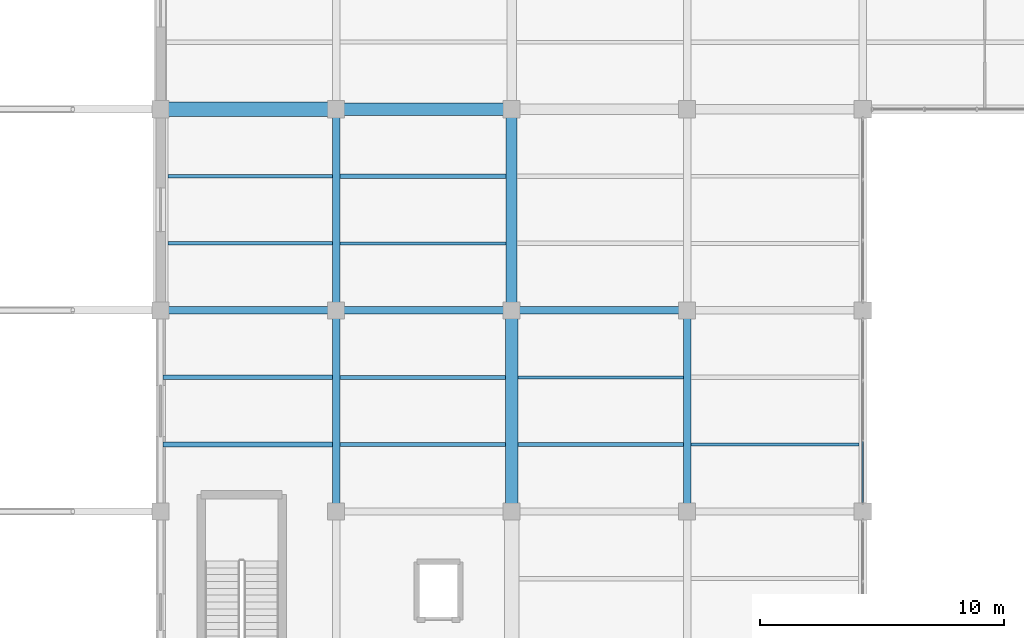
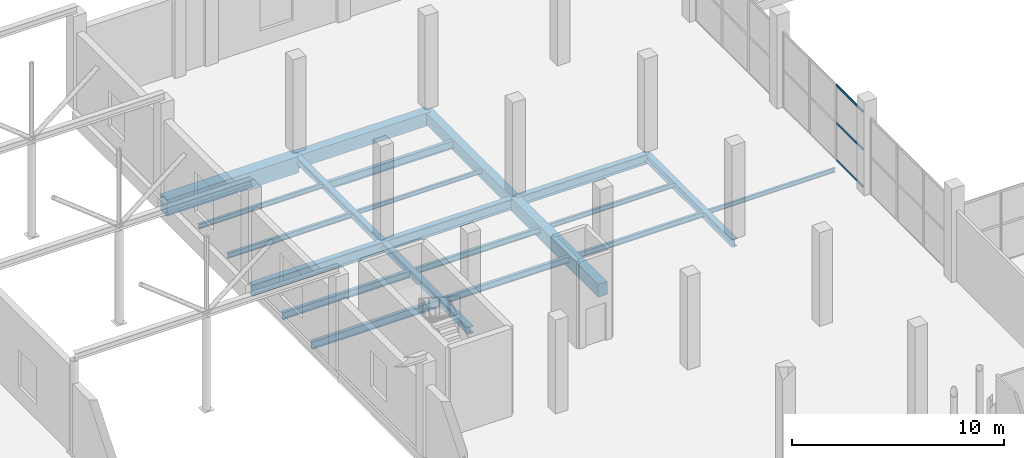
# One storey, part 71 of 147: 21 beams, 3 members, 1 element without a shape of its own.
"""IFC4 building model written with IfcOpenShell, lengths in metres."""

from ifc_helpers import new_model, si_unit, direction, frame, origin, origin_2d, place, context, subcontext, project, spatial, rectangle, hollow_rectangle, i_section, extrude, material, layer, layer_set, material_profile, profile_set, type_object, element, aggregate, save


model = new_model("IFC4")

# Units and contexts
model_context = context("Model", 3, precision=1e-05, world=origin(), true_north=direction((0.0, 1.0)))
body_context = subcontext(model_context, "Body", "Model", "MODEL_VIEW")
ifc_project = project(units=[si_unit("LENGTHUNIT", "METRE"), si_unit("AREAUNIT", "SQUARE_METRE"), si_unit("VOLUMEUNIT", "CUBIC_METRE"), si_unit("PLANEANGLEUNIT", "RADIAN"), si_unit("MASSUNIT", "GRAM", prefix="KILO")], contexts=[model_context])

# Site, building, storey
site_placement = place(None, origin())
site = spatial("IfcSite", under=ifc_project, at=site_placement, CompositionType="ELEMENT")
building_placement = place(site_placement, origin())
building = spatial("IfcBuilding", under=site, at=building_placement, Name="Sundgate Opera House", CompositionType="ELEMENT")
storey_placement = place(building_placement, frame((0.0, 0.0, 6.0)))
storey = spatial("IfcBuildingStorey", under=building, at=storey_placement, Name="L01", CompositionType="ELEMENT", Elevation=6.0)

# Beams
ifc_material_1 = material(Name="Steel S355J2", Category="steel")
ifc_material_profile_1 = material_profile(ifc_material_1, i_section(OverallWidth=0.300048828125, OverallDepth=0.43994140625, WebThickness=0.011474609375, FlangeThickness=0.02099609375, at=origin_2d()), Name="HEA 450")
ifc_profile_set_1 = profile_set([ifc_material_profile_1], Name="Steel S355J2")
beam_type_1 = type_object("IfcBeamType", Name="BM-GR-HEA450", PredefinedType="BEAM", material=ifc_profile_set_1)
beam_1_placement = place(storey_placement, frame((117.0, 95.25, -0.52001953125), z_axis=(0.0, 1.0, 0.0), x_axis=(-1.0, 0.0, 0.0)))
element("IfcBeam", 1, at=beam_1_placement, inside=storey, type_object=beam_type_1, Name="L01 Primary N-S Girder B1192", PredefinedType="BEAM", context=body_context, shape_type="SweptSolid", body=[
    extrude(i_section(OverallWidth=0.300048828125, OverallDepth=0.43994140625, WebThickness=0.011474609375, FlangeThickness=0.02099609375, at=origin_2d()), origin(), (0.0, 0.0, 1.0), 8.25),
])
ifc_material_2 = material(Name="Steel S355J2", Category="steel")
ifc_material_profile_2 = material_profile(ifc_material_2, i_section(OverallWidth=0.300048828125, OverallDepth=0.360107421875, WebThickness=0.012451171875, FlangeThickness=0.0224609375, at=origin_2d()), Name="HEB 360")
ifc_profile_set_2 = profile_set([ifc_material_profile_2], Name="Steel S355J2")
beam_type_2 = type_object("IfcBeamType", Name="BM-GR-HEB360", PredefinedType="BEAM", material=ifc_profile_set_2)
beam_2_placement = place(storey_placement, frame((102.60009765625, 103.5, -0.47998046875), z_axis=(0.0, 1.0, 0.0), x_axis=(-1.0, 0.0, 0.0)))
element("IfcBeam", 2, at=beam_2_placement, inside=storey, type_object=beam_type_2, Name="L01 Primary N-S Girder B1167", PredefinedType="BEAM", context=body_context, shape_type="SweptSolid", body=[
    extrude(i_section(OverallWidth=0.300048828125, OverallDepth=0.360107421875, WebThickness=0.012451171875, FlangeThickness=0.0224609375, at=origin_2d()), origin(), (0.0, 0.0, 1.0), 8.25),
])
ifc_material_3 = material(Name="Steel S355J2", Category="steel")
ifc_material_profile_3 = material_profile(ifc_material_3, i_section(OverallWidth=0.300048828125, OverallDepth=0.39990234375, WebThickness=0.013427734375, FlangeThickness=0.02392578125, at=origin_2d()), Name="HEB 400")
ifc_profile_set_3 = profile_set([ifc_material_profile_3], Name="Steel S355J2")
beam_type_3 = type_object("IfcBeamType", Name="BM-GR-HEB400", PredefinedType="BEAM", material=ifc_profile_set_3)
beam_3_placement = place(storey_placement, frame((102.60009765625, 95.25, -0.5), z_axis=(0.0, 1.0, 0.0), x_axis=(-1.0, 0.0, 0.0)))
element("IfcBeam", 3, at=beam_3_placement, inside=storey, type_object=beam_type_3, Name="L01 Primary N-S Girder B1166", PredefinedType="BEAM", context=body_context, shape_type="SweptSolid", body=[
    extrude(i_section(OverallWidth=0.300048828125, OverallDepth=0.39990234375, WebThickness=0.013427734375, FlangeThickness=0.02392578125, at=origin_2d()), origin(), (0.0, 0.0, 1.0), 8.25),
])
ifc_material_4 = material(Name="Steel S355J2", Category="steel")
ifc_material_profile_4 = material_profile(ifc_material_4, i_section(OverallWidth=0.300048828125, OverallDepth=0.550048828125, WebThickness=0.014892578125, FlangeThickness=0.029052734375, at=origin_2d()), Name="HEB 550")
ifc_profile_set_4 = profile_set([ifc_material_profile_4], Name="Steel S355J2")
beam_type_4 = type_object("IfcBeamType", Name="BM-GR-HEB550", PredefinedType="BEAM", material=ifc_profile_set_4)
beam_4_placement = place(storey_placement, frame((109.800048828125, 103.5, -0.574951171875), z_axis=(1.0, 0.0, 0.0), x_axis=(0.0, 1.0, 0.0)))
element("IfcBeam", 4, at=beam_4_placement, inside=storey, type_object=beam_type_4, Name="L01 Primary E-W Girder B1427", PredefinedType="BEAM", context=body_context, shape_type="SweptSolid", body=[
    extrude(i_section(OverallWidth=0.300048828125, OverallDepth=0.550048828125, WebThickness=0.014892578125, FlangeThickness=0.029052734375, at=origin_2d()), origin(), (0.0, 0.0, 1.0), 7.199951171875),
])
ifc_material_5 = material(Name="Steel S355J2", Category="steel")
ifc_material_profile_5 = material_profile(ifc_material_5, i_section(OverallWidth=0.300048828125, OverallDepth=0.60009765625, WebThickness=0.015380859375, FlangeThickness=0.030029296875, at=origin_2d()), Name="HEB 600")
ifc_profile_set_5 = profile_set([ifc_material_profile_5], Name="Steel S355J2")
beam_type_5 = type_object("IfcBeamType", Name="BM-GR-HEB600", PredefinedType="BEAM", material=ifc_profile_set_5)
beam_5_placement = place(storey_placement, frame((102.60009765625, 103.5, -0.60009765625), z_axis=(1.0, 0.0, 0.0), x_axis=(0.0, 1.0, 0.0)))
element("IfcBeam", 5, at=beam_5_placement, inside=storey, type_object=beam_type_5, Name="L01 Primary E-W Girder B1426", PredefinedType="BEAM", context=body_context, shape_type="SweptSolid", body=[
    extrude(i_section(OverallWidth=0.300048828125, OverallDepth=0.60009765625, WebThickness=0.015380859375, FlangeThickness=0.030029296875, at=origin_2d()), origin(), (0.0, 0.0, 1.0), 7.199951171875),
])
ifc_material_6 = material(Name="Steel S355J2", Category="steel")
ifc_material_profile_6 = material_profile(ifc_material_6, i_section(OverallWidth=0.300048828125, OverallDepth=0.64990234375, WebThickness=0.01611328125, FlangeThickness=0.031005859375, at=origin_2d()), Name="HEB 650")
ifc_profile_set_6 = profile_set([ifc_material_profile_6], Name="Steel S355J2")
beam_type_6 = type_object("IfcBeamType", Name="BM-GR-HEB650", PredefinedType="BEAM", material=ifc_profile_set_6)
beam_6_placement = place(storey_placement, frame((95.39990234375, 103.5, -0.625), z_axis=(1.0, 0.0, 0.0), x_axis=(0.0, 1.0, 0.0)))
element("IfcBeam", 6, at=beam_6_placement, inside=storey, type_object=beam_type_6, Name="L01 Primary E-W Girder B1425", PredefinedType="BEAM", context=body_context, shape_type="SweptSolid", body=[
    extrude(i_section(OverallWidth=0.300048828125, OverallDepth=0.64990234375, WebThickness=0.01611328125, FlangeThickness=0.031005859375, at=origin_2d()), origin(), (0.0, 0.0, 1.0), 7.2001953125),
])
ifc_material_7 = material(Name="Steel S355J2", Category="steel")
ifc_material_profile_7 = material_profile(ifc_material_7, i_section(OverallWidth=0.1201171875, OverallDepth=0.239990234375, WebThickness=0.006103515625, FlangeThickness=0.009765625, at=origin_2d()), Name="IPE 240")
ifc_profile_set_7 = profile_set([ifc_material_profile_7], Name="Steel S355J2")
beam_type_7 = type_object("IfcBeamType", Name="BM-JS-IPE240", PredefinedType="JOIST", material=ifc_profile_set_7)
beam_7_placement = place(storey_placement, frame((117.14990234375, 98.0, -0.419921875), z_axis=(1.0, 0.0, 0.0), x_axis=(0.0, 1.0, 0.0)))
element("IfcBeam", 7, at=beam_7_placement, inside=storey, type_object=beam_type_7, Name="L01 Secondary Floor Joist B1700", PredefinedType="JOIST", context=body_context, shape_type="SweptSolid", body=[
    extrude(i_section(OverallWidth=0.1201171875, OverallDepth=0.239990234375, WebThickness=0.006103515625, FlangeThickness=0.009765625, at=origin_2d()), origin(), (0.0, 0.0, 1.0), 6.900146484375),
])
beam_8_placement = place(storey_placement, frame((102.75, 106.25, -0.419921875), z_axis=(1.0, 0.0, 0.0), x_axis=(0.0, 1.0, 0.0)))
element("IfcBeam", 8, at=beam_8_placement, inside=storey, type_object=beam_type_7, Name="L01 Secondary Floor Joist B1728", PredefinedType="JOIST", context=body_context, shape_type="SweptSolid", body=[
    extrude(i_section(OverallWidth=0.1201171875, OverallDepth=0.239990234375, WebThickness=0.006103515625, FlangeThickness=0.009765625, at=origin_2d()), origin(), (0.0, 0.0, 1.0), 6.824951171875),
])
ifc_material_8 = material(Name="Steel S355J2", Category="steel")
ifc_material_profile_8 = material_profile(ifc_material_8, i_section(OverallWidth=0.135009765625, OverallDepth=0.27001953125, WebThickness=0.006591796875, FlangeThickness=0.01025390625, at=origin_2d()), Name="IPE 270")
ifc_profile_set_8 = profile_set([ifc_material_profile_8], Name="Steel S355J2")
beam_type_8 = type_object("IfcBeamType", Name="BM-JS-IPE270", PredefinedType="JOIST", material=ifc_profile_set_8)
beam_9_placement = place(storey_placement, frame((110.050048828125, 100.75, -0.43505859375), z_axis=(1.0, 0.0, 0.0), x_axis=(0.0, 1.0, 0.0)))
element("IfcBeam", 9, at=beam_9_placement, inside=storey, type_object=beam_type_8, Name="L01 Secondary Floor Joist B1699", PredefinedType="JOIST", context=body_context, shape_type="SweptSolid", body=[
    extrude(i_section(OverallWidth=0.135009765625, OverallDepth=0.27001953125, WebThickness=0.006591796875, FlangeThickness=0.01025390625, at=origin_2d()), origin(), (0.0, 0.0, 1.0), 6.800048828125),
])
beam_10_placement = place(storey_placement, frame((95.699951171875, 109.0, -0.43505859375), z_axis=(1.0, 0.0, 0.0), x_axis=(0.0, 1.0, 0.0)))
element("IfcBeam", 10, at=beam_10_placement, inside=storey, type_object=beam_type_8, Name="L01 Secondary Floor Joist B1727", PredefinedType="JOIST", context=body_context, shape_type="SweptSolid", body=[
    extrude(i_section(OverallWidth=0.135009765625, OverallDepth=0.27001953125, WebThickness=0.006591796875, FlangeThickness=0.01025390625, at=origin_2d()), origin(), (0.0, 0.0, 1.0), 6.75),
])
ifc_material_9 = material(Name="Steel S355J2", Category="steel")
ifc_material_profile_9 = material_profile(ifc_material_9, i_section(OverallWidth=0.14990234375, OverallDepth=0.300048828125, WebThickness=0.007080078125, FlangeThickness=0.0107421875, at=origin_2d()), Name="IPE 300")
ifc_profile_set_9 = profile_set([ifc_material_profile_9], Name="Steel S355J2")
beam_type_9 = type_object("IfcBeamType", Name="BM-JS-IPE300", PredefinedType="JOIST", material=ifc_profile_set_9)
beam_11_placement = place(storey_placement, frame((110.050048828125, 98.0, -0.449951171875), z_axis=(1.0, 0.0, 0.0), x_axis=(0.0, 1.0, 0.0)))
element("IfcBeam", 11, at=beam_11_placement, inside=storey, type_object=beam_type_9, Name="L01 Secondary Floor Joist B1698", PredefinedType="JOIST", context=body_context, shape_type="SweptSolid", body=[
    extrude(i_section(OverallWidth=0.14990234375, OverallDepth=0.300048828125, WebThickness=0.007080078125, FlangeThickness=0.0107421875, at=origin_2d()), origin(), (0.0, 0.0, 1.0), 6.800048828125),
])
beam_12_placement = place(storey_placement, frame((95.699951171875, 106.25, -0.449951171875), z_axis=(1.0, 0.0, 0.0), x_axis=(0.0, 1.0, 0.0)))
element("IfcBeam", 12, at=beam_12_placement, inside=storey, type_object=beam_type_9, Name="L01 Secondary Floor Joist B1726", PredefinedType="JOIST", context=body_context, shape_type="SweptSolid", body=[
    extrude(i_section(OverallWidth=0.14990234375, OverallDepth=0.300048828125, WebThickness=0.007080078125, FlangeThickness=0.0107421875, at=origin_2d()), origin(), (0.0, 0.0, 1.0), 6.75),
])
ifc_material_10 = material(Name="Steel S355J2", Category="steel")
ifc_material_profile_10 = material_profile(ifc_material_10, i_section(OverallWidth=0.159912109375, OverallDepth=0.330078125, WebThickness=0.007568359375, FlangeThickness=0.011474609375, at=origin_2d()), Name="IPE 330")
ifc_profile_set_10 = profile_set([ifc_material_profile_10], Name="Steel S355J2")
beam_type_10 = type_object("IfcBeamType", Name="BM-JS-IPE330", PredefinedType="JOIST", material=ifc_profile_set_10)
beam_13_placement = place(storey_placement, frame((102.75, 100.75, -0.465087890625), z_axis=(1.0, 0.0, 0.0), x_axis=(0.0, 1.0, 0.0)))
element("IfcBeam", 13, at=beam_13_placement, inside=storey, type_object=beam_type_10, Name="L01 Secondary Floor Joist B1697", PredefinedType="JOIST", context=body_context, shape_type="SweptSolid", body=[
    extrude(i_section(OverallWidth=0.159912109375, OverallDepth=0.330078125, WebThickness=0.007568359375, FlangeThickness=0.011474609375, at=origin_2d()), origin(), (0.0, 0.0, 1.0), 6.800048828125),
])
ifc_material_11 = material(Name="Steel S355J2", Category="steel")
ifc_material_profile_11 = material_profile(ifc_material_11, i_section(OverallWidth=0.169921875, OverallDepth=0.360107421875, WebThickness=0.008056640625, FlangeThickness=0.0126953125, at=origin_2d()), Name="IPE 360")
ifc_profile_set_11 = profile_set([ifc_material_profile_11], Name="Steel S355J2")
beam_type_11 = type_object("IfcBeamType", Name="BM-JS-IPE360", PredefinedType="JOIST", material=ifc_profile_set_11)
beam_14_placement = place(storey_placement, frame((102.75, 98.0, -0.47998046875), z_axis=(1.0, 0.0, 0.0), x_axis=(0.0, 1.0, 0.0)))
element("IfcBeam", 14, at=beam_14_placement, inside=storey, type_object=beam_type_11, Name="L01 Secondary Floor Joist B1696", PredefinedType="JOIST", context=body_context, shape_type="SweptSolid", body=[
    extrude(i_section(OverallWidth=0.169921875, OverallDepth=0.360107421875, WebThickness=0.008056640625, FlangeThickness=0.0126953125, at=origin_2d()), origin(), (0.0, 0.0, 1.0), 6.800048828125),
])
ifc_material_12 = material(Name="Steel S355J2", Category="steel")
ifc_material_profile_12 = material_profile(ifc_material_12, i_section(OverallWidth=0.179931640625, OverallDepth=0.39990234375, WebThickness=0.008544921875, FlangeThickness=0.013427734375, at=origin_2d()), Name="IPE 400")
ifc_profile_set_12 = profile_set([ifc_material_profile_12], Name="Steel S355J2")
beam_type_12 = type_object("IfcBeamType", Name="BM-JS-IPE400", PredefinedType="JOIST", material=ifc_profile_set_12)
beam_15_placement = place(storey_placement, frame((95.5, 100.75, -0.5), z_axis=(1.0, 0.0, 0.0), x_axis=(0.0, 1.0, 0.0)))
element("IfcBeam", 15, at=beam_15_placement, inside=storey, type_object=beam_type_12, Name="L01 Secondary Floor Joist B1695", PredefinedType="JOIST", context=body_context, shape_type="SweptSolid", body=[
    extrude(i_section(OverallWidth=0.179931640625, OverallDepth=0.39990234375, WebThickness=0.008544921875, FlangeThickness=0.013427734375, at=origin_2d()), origin(), (0.0, 0.0, 1.0), 6.949951171875),
])
ifc_material_13 = material(Name="Steel S355J2", Category="steel")
ifc_material_profile_13 = material_profile(ifc_material_13, i_section(OverallWidth=0.18994140625, OverallDepth=0.449951171875, WebThickness=0.009521484375, FlangeThickness=0.0146484375, at=origin_2d()), Name="IPE 450")
ifc_profile_set_13 = profile_set([ifc_material_profile_13], Name="Steel S355J2")
beam_type_13 = type_object("IfcBeamType", Name="BM-JS-IPE450", PredefinedType="JOIST", material=ifc_profile_set_13)
beam_16_placement = place(storey_placement, frame((95.5, 98.0, -0.52490234375), z_axis=(1.0, 0.0, 0.0), x_axis=(0.0, 1.0, 0.0)))
element("IfcBeam", 16, at=beam_16_placement, inside=storey, type_object=beam_type_13, Name="L01 Secondary Floor Joist B1694", PredefinedType="JOIST", context=body_context, shape_type="SweptSolid", body=[
    extrude(i_section(OverallWidth=0.18994140625, OverallDepth=0.449951171875, WebThickness=0.009521484375, FlangeThickness=0.0146484375, at=origin_2d()), origin(), (0.0, 0.0, 1.0), 6.949951171875),
])
beam_17_placement = place(storey_placement, frame((102.75, 109.0, -0.52490234375), z_axis=(1.0, 0.0, 0.0), x_axis=(0.0, 1.0, 0.0)))
element("IfcBeam", 17, at=beam_17_placement, inside=storey, type_object=beam_type_13, Name="L01 Secondary Floor Joist B1729", PredefinedType="JOIST", context=body_context, shape_type="SweptSolid", body=[
    extrude(i_section(OverallWidth=0.18994140625, OverallDepth=0.449951171875, WebThickness=0.009521484375, FlangeThickness=0.0146484375, at=origin_2d()), origin(), (0.0, 0.0, 1.0), 6.824951171875),
])
ifc_material_14 = material(Name="Concrete C35/45", Category="concrete")
ifc_material_profile_14 = material_profile(ifc_material_14, rectangle(XDim=0.449951171875, YDim=0.64990234375, at=origin_2d()), Name="RC 450x650")
ifc_profile_set_14 = profile_set([ifc_material_profile_14], Name="Concrete C35/45")
beam_type_14 = type_object("IfcBeamType", Name="BM-RC-450x650", PredefinedType="BEAM", material=ifc_profile_set_14)
beam_18_placement = place(storey_placement, frame((109.800048828125, 103.5, -0.625), z_axis=(0.0, 1.0, 0.0), x_axis=(-1.0, 0.0, 0.0)))
element("IfcBeam", 18, at=beam_18_placement, inside=storey, type_object=beam_type_14, Name="L01 Primary N-S Girder B1179", PredefinedType="BEAM", context=body_context, shape_type="SweptSolid", body=[
    extrude(rectangle(XDim=0.449951171875, YDim=0.64990234375, at=origin_2d()), origin(), (0.0, 0.0, 1.0), 8.25),
])
ifc_material_15 = material(Name="Concrete C40/50", Category="concrete")
ifc_material_profile_15 = material_profile(ifc_material_15, rectangle(XDim=0.5, YDim=0.75, at=origin_2d()), Name="RC 500x750")
ifc_profile_set_15 = profile_set([ifc_material_profile_15], Name="Concrete C40/50")
beam_type_15 = type_object("IfcBeamType", Name="BM-RC-500x750", PredefinedType="BEAM", material=ifc_profile_set_15)
beam_19_placement = place(storey_placement, frame((109.800048828125, 95.25, -0.675048828125), z_axis=(0.0, 1.0, 0.0), x_axis=(-1.0, 0.0, 0.0)))
element("IfcBeam", 19, at=beam_19_placement, inside=storey, type_object=beam_type_15, Name="L01 Primary N-S Girder B1178", PredefinedType="BEAM", context=body_context, shape_type="SweptSolid", body=[
    extrude(rectangle(XDim=0.5, YDim=0.75, at=origin_2d()), origin(), (0.0, 0.0, 1.0), 8.25),
])
beam_20_placement = place(storey_placement, frame((102.60009765625, 111.75, -0.675048828125), z_axis=(1.0, 0.0, 0.0), x_axis=(0.0, 1.0, 0.0)))
element("IfcBeam", 20, at=beam_20_placement, inside=storey, type_object=beam_type_15, Name="L01 Primary E-W Girder B1442", PredefinedType="BEAM", context=body_context, shape_type="SweptSolid", body=[
    extrude(rectangle(XDim=0.5, YDim=0.75, at=origin_2d()), origin(), (0.0, 0.0, 1.0), 7.199951171875),
])
ifc_material_16 = material(Name="Concrete C40/50", Category="concrete")
ifc_material_profile_16 = material_profile(ifc_material_16, rectangle(XDim=0.60009765625, YDim=0.949951171875, at=origin_2d()), Name="RC 600x950")
ifc_profile_set_16 = profile_set([ifc_material_profile_16], Name="Concrete C40/50")
beam_type_16 = type_object("IfcBeamType", Name="BM-RC-600x950", PredefinedType="BEAM", material=ifc_profile_set_16)
beam_21_placement = place(storey_placement, frame((95.39990234375, 111.75, -0.77490234375), z_axis=(1.0, 0.0, 0.0), x_axis=(0.0, 1.0, 0.0)))
element("IfcBeam", 21, at=beam_21_placement, inside=storey, type_object=beam_type_16, Name="L01 Primary E-W Girder B1441", PredefinedType="BEAM", context=body_context, shape_type="SweptSolid", body=[
    extrude(rectangle(XDim=0.60009765625, YDim=0.949951171875, at=origin_2d()), origin(), (0.0, 0.0, 1.0), 7.2001953125),
])

# Curtain wall, members
ifc_material_17 = material(Name="Anodized aluminium and low-iron glass", Category="aluminium")
ifc_layer = layer(ifc_material_17, 0.159912109375)
ifc_layer_set = layer_set([ifc_layer], Name="Anodized aluminium and low-iron glass")
curtain_wall_type = type_object("IfcCurtainWallType", Name="CW-STUDIO-DARK", PredefinedType="NOTDEFINED", material=ifc_layer_set)
curtain_wall_placement = place(storey_placement, origin())
curtain_wall = element("IfcCurtainWall", 22, at=curtain_wall_placement, inside=storey, type_object=curtain_wall_type, Name="L01 Curtain Wall CW104", PredefinedType="NOTDEFINED")
ifc_material_18 = material(Name="Anodized aluminium EN AW-6063", Category="aluminium")
ifc_material_profile_17 = material_profile(ifc_material_18, hollow_rectangle(XDim=0.054931640625, YDim=0.1201171875, WallThickness=0.00390625, at=origin_2d()), Name="CWT 120x55x4")
ifc_profile_set_17 = profile_set([ifc_material_profile_17], Name="Anodized aluminium EN AW-6063")
member_type = type_object("IfcMemberType", Name="CWT-ALU-120x55", PredefinedType="USERDEFINED", material=ifc_profile_set_17)
member_1_placement = place(storey_placement, frame((124.199951171875, 95.625, 0.0), z_axis=(0.0, 1.0, 0.0), x_axis=(-1.0, 0.0, 0.0)))
member_1 = element("IfcMember", 23, at=member_1_placement, type_object=member_type, Name="CW104 Transom 1", ObjectType="TRANSOM", PredefinedType="USERDEFINED", context=body_context, shape_type="SweptSolid", body=[
    extrude(hollow_rectangle(XDim=0.054931640625, YDim=0.1201171875, WallThickness=0.00390625, at=origin_2d()), origin(), (0.0, 0.0, 1.0), 2.5),
])
member_2_placement = place(storey_placement, frame((124.199951171875, 95.625, 2.14990234375), z_axis=(0.0, 1.0, 0.0), x_axis=(-1.0, 0.0, 0.0)))
member_2 = element("IfcMember", 24, at=member_2_placement, type_object=member_type, Name="CW104 Transom 2", ObjectType="TRANSOM", PredefinedType="USERDEFINED", context=body_context, shape_type="SweptSolid", body=[
    extrude(hollow_rectangle(XDim=0.054931640625, YDim=0.1201171875, WallThickness=0.00390625, at=origin_2d()), origin(), (0.0, 0.0, 1.0), 2.5),
])
member_3_placement = place(storey_placement, frame((124.199951171875, 95.625, 4.31494140625), z_axis=(0.0, 1.0, 0.0), x_axis=(-1.0, 0.0, 0.0)))
member_3 = element("IfcMember", 25, at=member_3_placement, type_object=member_type, Name="CW104 Transom 3", ObjectType="TRANSOM", PredefinedType="USERDEFINED", context=body_context, shape_type="SweptSolid", body=[
    extrude(hollow_rectangle(XDim=0.054931640625, YDim=0.1201171875, WallThickness=0.00390625, at=origin_2d()), origin(), (0.0, 0.0, 1.0), 2.5),
])
aggregate(curtain_wall, [member_1, member_2, member_3])

save(model, "model.ifc")
